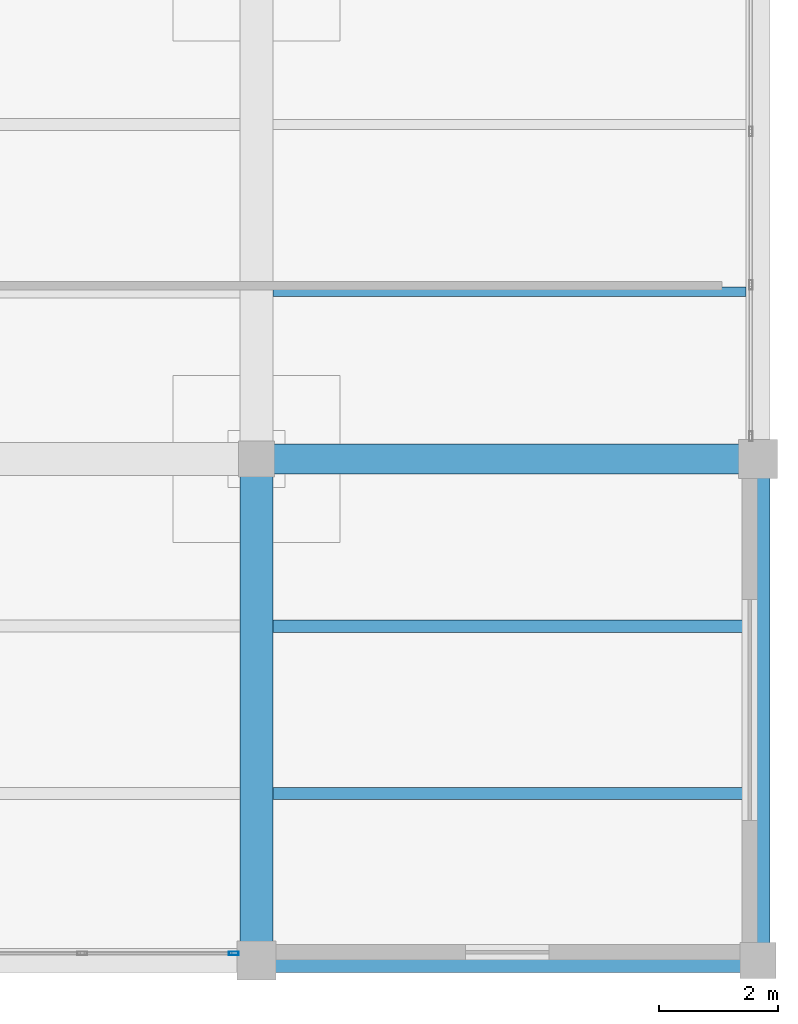
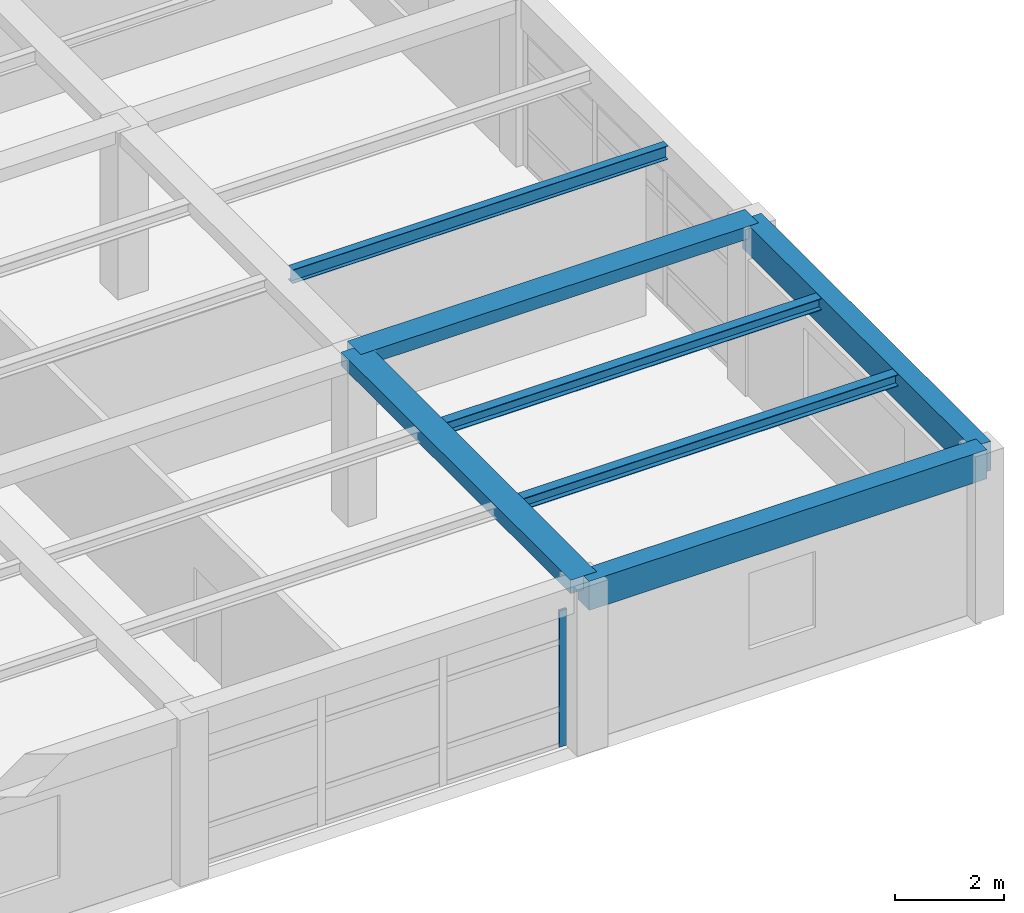
# One storey, part 13 of 26: 7 beams, 1 member, 1 element without a shape of its own.
"""IFC4 building model written with IfcOpenShell, lengths in metres."""

from ifc_helpers import new_model, si_unit, direction, frame, origin, origin_2d, place, context, subcontext, project, spatial, rectangle, hollow_rectangle, i_section, extrude, material, material_profile, profile_set, type_object, element, aggregate, save


model = new_model("IFC4")

# Units and contexts
model_context = context("Model", 3, precision=1e-05, world=origin(), true_north=direction((0.0, 1.0)))
body_context = subcontext(model_context, "Body", "Model", "MODEL_VIEW")
ifc_project = project(units=[si_unit("LENGTHUNIT", "METRE"), si_unit("AREAUNIT", "SQUARE_METRE"), si_unit("VOLUMEUNIT", "CUBIC_METRE"), si_unit("PLANEANGLEUNIT", "RADIAN"), si_unit("MASSUNIT", "GRAM", prefix="KILO")], contexts=[model_context])

# Site, building, storey
site_placement = place(None, origin())
site = spatial("IfcSite", under=ifc_project, at=site_placement, CompositionType="ELEMENT")
building_placement = place(site_placement, origin())
building = spatial("IfcBuilding", under=site, at=building_placement, Name="Almacenes y Pasaje Nevantli", CompositionType="ELEMENT")
storey_placement = place(building_placement, frame((0.0, 0.0, 54.699951171875)))
storey = spatial("IfcBuildingStorey", under=building, at=storey_placement, Name="L13", CompositionType="ELEMENT", Elevation=54.699951171875)

# Beams
ifc_material_1 = material(Name="Concrete C35/45", Category="concrete")
ifc_material_profile_1 = material_profile(ifc_material_1, rectangle(XDim=0.39990234375, YDim=0.64990234375, at=origin_2d()), Name="RC-BM-400x650")
ifc_profile_set_1 = profile_set([ifc_material_profile_1], Name="Concrete C35/45")
beam_type_1 = type_object("IfcBeamType", Name="BM-RC-400x650", PredefinedType="SPANDREL", material=ifc_profile_set_1)
for number, where, z_axis, x_axis, name in (
    (1, (151.199951171875, 67.199951171875, 3.39501953125), (1.0, 0.0, 0.0), (0.0, 1.0, 0.0), "L13 East-West Reinforced Concrete Beam #3942"),
    (2, (159.60009765625, 67.199951171875, 3.39501953125), (0.0, 1.0, 0.0), (-1.0, 0.0, 0.0), "L13 North-South Reinforced Concrete Beam #3981"),
):
    element("IfcBeam", number, at=place(storey_placement, frame(where, z_axis=z_axis, x_axis=x_axis)), inside=storey, type_object=beam_type_1, Name=name, PredefinedType="SPANDREL", context=body_context, shape_type="SweptSolid", body=[
        extrude(rectangle(XDim=0.39990234375, YDim=0.64990234375, at=origin_2d()), origin(), (0.0, 0.0, 1.0), 8.400146484375),
    ])
ifc_material_2 = material(Name="Concrete C35/45", Category="concrete")
ifc_material_profile_2 = material_profile(ifc_material_2, rectangle(XDim=0.5, YDim=0.280029296875, at=origin_2d()), Name="RC-BM-500x280")
ifc_profile_set_2 = profile_set([ifc_material_profile_2], Name="Concrete C35/45")
beam_type_2 = type_object("IfcBeamType", Name="BM-RC-500x280", PredefinedType="BEAM", material=ifc_profile_set_2)
beam_1_placement = place(storey_placement, frame((151.199951171875, 75.60009765625, 3.580078125), z_axis=(1.0, 0.0, 0.0), x_axis=(0.0, 1.0, 0.0)))
element("IfcBeam", 3, at=beam_1_placement, inside=storey, type_object=beam_type_2, Name="L13 East-West Reinforced Concrete Beam #3947", PredefinedType="BEAM", context=body_context, shape_type="SweptSolid", body=[
    extrude(rectangle(XDim=0.5, YDim=0.280029296875, at=origin_2d()), origin(), (0.0, 0.0, 1.0), 8.400146484375),
])
ifc_material_3 = material(Name="Concrete C35/45", Category="concrete")
ifc_material_profile_3 = material_profile(ifc_material_3, rectangle(XDim=0.550048828125, YDim=0.300048828125, at=origin_2d()), Name="RC-BM-550x300")
ifc_profile_set_3 = profile_set([ifc_material_profile_3], Name="Concrete C35/45")
beam_type_3 = type_object("IfcBeamType", Name="BM-RC-550x300", PredefinedType="BEAM", material=ifc_profile_set_3)
beam_2_placement = place(storey_placement, frame((151.199951171875, 67.199951171875, 3.570068359375), z_axis=(0.0, 1.0, 0.0), x_axis=(-1.0, 0.0, 0.0)))
element("IfcBeam", 4, at=beam_2_placement, inside=storey, type_object=beam_type_3, Name="L13 North-South Reinforced Concrete Beam #3977", PredefinedType="BEAM", context=body_context, shape_type="SweptSolid", body=[
    extrude(rectangle(XDim=0.550048828125, YDim=0.300048828125, at=origin_2d()), origin(), (0.0, 0.0, 1.0), 8.400146484375),
])
ifc_material_4 = material(Name="Steel ASTM A992", Category="steel")
ifc_material_profile_4 = material_profile(ifc_material_4, i_section(OverallWidth=0.2041015625, OverallDepth=0.258056640625, WebThickness=0.008056640625, FlangeThickness=0.013427734375, at=origin_2d()), Name="IR 254x58.0")
ifc_profile_set_4 = profile_set([ifc_material_profile_4], Name="Steel ASTM A992")
beam_type_4 = type_object("IfcBeamType", Name="BM-STL-IR-254x58p0", PredefinedType="JOIST", material=ifc_profile_set_4)
for number, where, z_axis, x_axis, name in (
    (5, (151.47509765625, 70.0, 3.5830078125), (1.0, 0.0, 0.0), (0.0, 1.0, 0.0), "L13 Secondary Steel Floor Joist #1585"),
    (6, (151.47509765625, 72.800048828125, 3.5830078125), (1.0, 0.0, 0.0), (0.0, 1.0, 0.0), "L13 Secondary Steel Floor Joist #1586"),
):
    element("IfcBeam", number, at=place(storey_placement, frame(where, z_axis=z_axis, x_axis=x_axis)), inside=storey, type_object=beam_type_4, Name=name, PredefinedType="JOIST", context=body_context, shape_type="SweptSolid", body=[
        extrude(i_section(OverallWidth=0.2041015625, OverallDepth=0.258056640625, WebThickness=0.008056640625, FlangeThickness=0.013427734375, at=origin_2d()), origin(), (0.0, 0.0, 1.0), 7.9248046875),
    ])
ifc_material_5 = material(Name="Steel ASTM A992", Category="steel")
ifc_material_profile_5 = material_profile(ifc_material_5, i_section(OverallWidth=0.1650390625, OverallDepth=0.306884765625, WebThickness=0.006591796875, FlangeThickness=0.01025390625, at=origin_2d()), Name="IR 305x44.6")
ifc_profile_set_5 = profile_set([ifc_material_profile_5], Name="Steel ASTM A992")
beam_type_5 = type_object("IfcBeamType", Name="BM-STL-IR-305x44p6", PredefinedType="JOIST", material=ifc_profile_set_5)
beam_3_placement = place(storey_placement, frame((151.47509765625, 78.39990234375, 3.55859375), z_axis=(1.0, 0.0, 0.0), x_axis=(0.0, 1.0, 0.0)))
element("IfcBeam", 7, at=beam_3_placement, inside=storey, type_object=beam_type_5, Name="L13 Secondary Steel Floor Joist #1587", PredefinedType="JOIST", context=body_context, shape_type="SweptSolid", body=[
    extrude(i_section(OverallWidth=0.1650390625, OverallDepth=0.306884765625, WebThickness=0.006591796875, FlangeThickness=0.01025390625, at=origin_2d()), origin(), (0.0, 0.0, 1.0), 7.9248046875),
])

# Curtain wall, member
ifc_material_6 = material(Name="Thermally Broken Aluminium and Low-E Glass", Category="aluminium")
curtain_wall_type = type_object("IfcCurtainWallType", Name="CW-UNIT-TOWER", PredefinedType="USERDEFINED", material=ifc_material_6)
curtain_wall_placement = place(storey_placement, origin())
curtain_wall = element("IfcCurtainWall", 8, at=curtain_wall_placement, inside=storey, type_object=curtain_wall_type, Name="L13 Tower South Unitized Curtain Wall Bay 18", ObjectType="UNITIZED CURTAIN WALL", PredefinedType="USERDEFINED")
ifc_material_7 = material(Name="Thermally Broken Anodized Aluminium", Category="aluminium")
ifc_material_profile_6 = material_profile(ifc_material_7, hollow_rectangle(XDim=0.06005859375, YDim=0.159912109375, WallThickness=0.00390625, at=origin_2d()), Name="ALU-MUL-60x160")
ifc_profile_set_6 = profile_set([ifc_material_profile_6], Name="Thermally Broken Anodized Aluminium")
member_type = type_object("IfcMemberType", Name="CW-MUL-180", PredefinedType="MULLION", material=ifc_profile_set_6)
member_placement = place(storey_placement, frame((150.820068359375, 67.320068359375, 0.0), z_axis=(0.0, 0.0, 1.0), x_axis=(0.0, 1.0, 0.0)))
member = element("IfcMember", 9, at=member_placement, type_object=member_type, Name="CW-L13-171 mullion 4", PredefinedType="MULLION", context=body_context, shape_type="SweptSolid", body=[
    extrude(hollow_rectangle(XDim=0.06005859375, YDim=0.159912109375, WallThickness=0.00390625, at=origin_2d()), origin(), (0.0, 0.0, 1.0), 3.0400390625),
])
aggregate(curtain_wall, [member])

save(model, "model.ifc")
